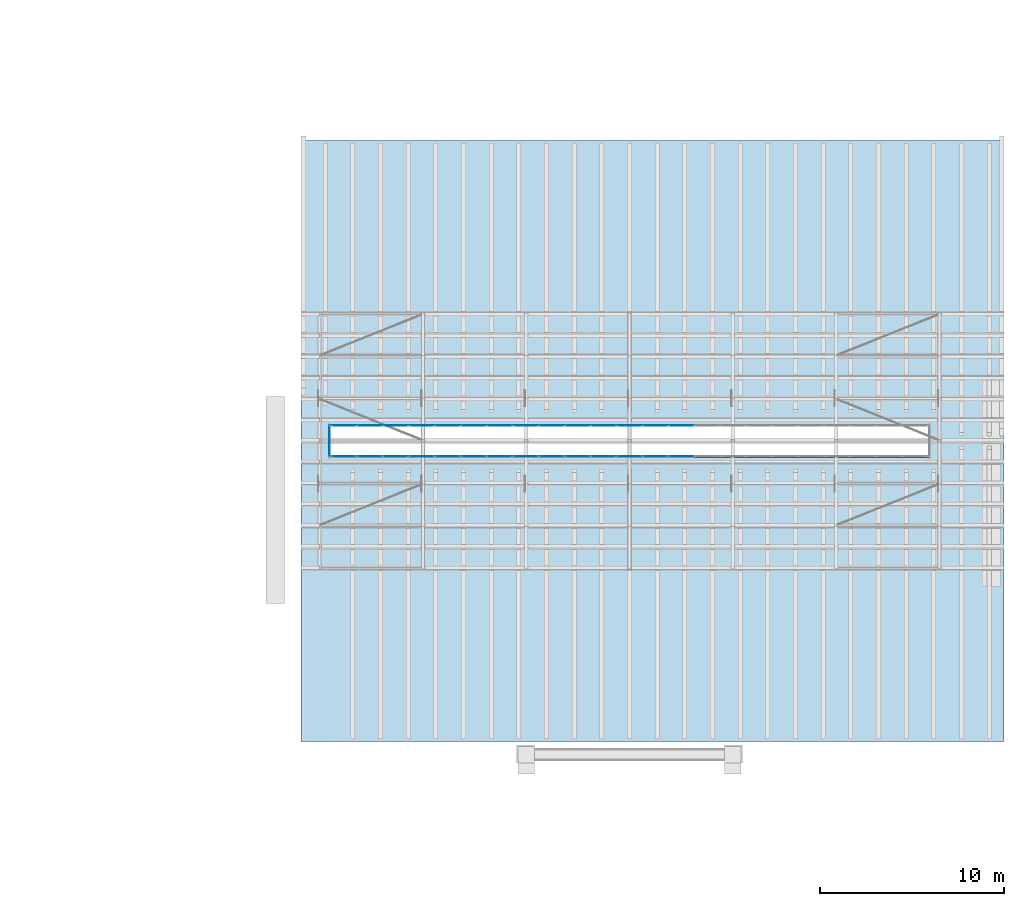
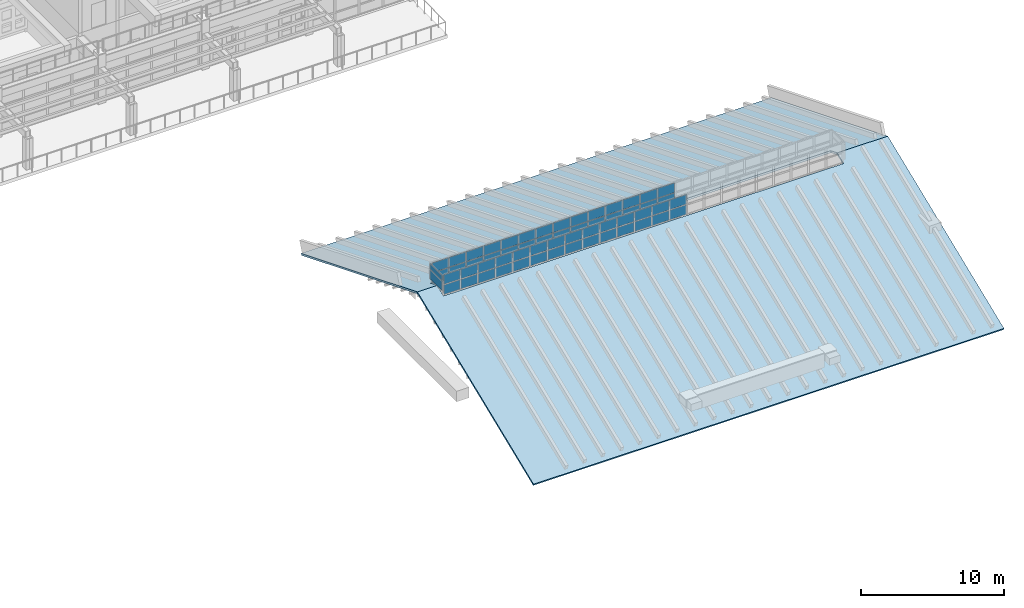
# One storey, part 49 of 105: 58 plates, 2 slabs, 3 elements without a shape of their own.
"""IFC4 building model written with IfcOpenShell, lengths in metres."""

from ifc_helpers import new_model, si_unit, direction, frame, origin, origin_2d, place, context, subcontext, project, spatial, polyline, rectangle, outline, extrude, material, layer, layer_set, type_object, element, aggregate, save


model = new_model("IFC4")

# Units and contexts
model_context = context("Model", 3, precision=1e-05, world=origin(), true_north=direction((0.0, 1.0)))
body_context = subcontext(model_context, "Body", "Model", "MODEL_VIEW")
ifc_project = project(units=[si_unit("LENGTHUNIT", "METRE"), si_unit("AREAUNIT", "SQUARE_METRE"), si_unit("VOLUMEUNIT", "CUBIC_METRE"), si_unit("PLANEANGLEUNIT", "RADIAN"), si_unit("MASSUNIT", "GRAM", prefix="KILO")], contexts=[model_context])

# Site, building, storey
site_placement = place(None, origin())
site = spatial("IfcSite", under=ifc_project, at=site_placement, CompositionType="ELEMENT")
building_placement = place(site_placement, origin())
building = spatial("IfcBuilding", under=site, at=building_placement, Name="Wasatch Bagh Community Centre", CompositionType="ELEMENT")
storey_placement = place(building_placement, frame((0.0, 0.0, 16.800048828125)))
storey = spatial("IfcBuildingStorey", under=building, at=storey_placement, Name="L04", CompositionType="ELEMENT", Elevation=16.800048828125)

# Slabs
ifc_material_1 = material(Name="ASTM A653 Grade 50 steel roof deck assembly", Category="steel")
ifc_layer_1 = layer(ifc_material_1, 0.14990234375)
ifc_layer_set_1 = layer_set([ifc_layer_1], Name="ASTM A653 Grade 50 steel roof deck assembly")
slab_type = type_object("IfcSlabType", Name="SH roof deck 150", PredefinedType="ROOF", material=ifc_layer_set_1)
slab_1_placement = place(storey_placement, frame((111.199951171875, 35.699951171875, -3.169189453125), z_axis=(0.0, -0.374600872568, 0.927186165919), x_axis=(1.0, 0.0, 0.0)))
element("IfcSlab", 1, at=slab_1_placement, inside=storey, type_object=slab_type, Name="SH.roof.S", PredefinedType="ROOF", context=body_context, shape_type="SweptSolid", body=[
    extrude(outline(polyline([(0.0, 0.0), (38.10009765625, 0.0), (38.10009765625, 17.580186256126385), (34.0, 17.580186256126385), (34.0, 16.609540868503533), (1.60009765625, 16.609540868503533), (1.60009765625, 17.580186256126385), (0.0, 17.580186256126385), (0.0, 0.0)])), origin(), (0.0, 0.0, -1.0), 0.14990234375),
])
slab_2_placement = place(storey_placement, frame((111.199951171875, 68.300048828125, -3.169189453125), z_axis=(0.0, 0.374600872568, 0.927186165919), x_axis=(1.0, 0.0, 0.0)))
element("IfcSlab", 2, at=slab_2_placement, inside=storey, type_object=slab_type, Name="SH.roof.N", PredefinedType="ROOF", context=body_context, shape_type="SweptSolid", body=[
    extrude(outline(polyline([(0.0, 0.0), (38.10009765625, 0.0), (38.10009765625, -17.580186256126385), (34.0, -17.580186256126385), (34.0, -16.609540868503533), (1.60009765625, -16.609540868503533), (1.60009765625, -17.580186256126385), (0.0, -17.580186256126385), (0.0, 0.0)])), origin(), (0.0, 0.0, -1.0), 0.14990234375),
])

# Curtain wall, plates
ifc_material_2 = material(Name="Aluminium alloy 6063-T6", Category="aluminium")
ifc_layer_2 = layer(ifc_material_2, 0.10009765625)
ifc_layer_set_2 = layer_set([ifc_layer_2], Name="Aluminium alloy 6063-T6")
curtain_wall_type = type_object("IfcCurtainWallType", Name="SH-CW3", PredefinedType="NOTDEFINED", material=ifc_layer_set_2)
curtain_wall_1_placement = place(storey_placement, origin())
curtain_wall_1 = element("IfcCurtainWall", 3, at=curtain_wall_1_placement, inside=storey, type_object=curtain_wall_type, Name="Curtain wall SH-CW3", PredefinedType="NOTDEFINED")
ifc_material_3 = material(Name="Laminated glass 8+8 mm", Category="glass")
ifc_layer_3 = layer(ifc_material_3, 0.028076171875)
ifc_layer_set_3 = layer_set([ifc_layer_3], Name="Laminated glass 8+8 mm")
plate_type = type_object("IfcPlateType", Name="SH-CW3 panel", PredefinedType="CURTAIN_PANEL", material=ifc_layer_set_3)
plate_1_placement = place(storey_placement, frame((113.519287109375, 51.169921875, 3.11279296875), z_axis=(0.0, 0.0, 1.0), x_axis=(1.0, 0.0, 0.0)))
plate_1 = element("IfcPlate", 4, at=plate_1_placement, type_object=plate_type, Name="SH-CW3 panel 1.1", PredefinedType="CURTAIN_PANEL", context=body_context, shape_type="SweptSolid", body=[
    extrude(rectangle(XDim=1.318603515625, YDim=0.028076171875, at=origin_2d()), origin(), (0.0, 0.0, 1.0), 0.81005859375),
])
plate_2_placement = place(storey_placement, frame((113.519287109375, 51.169921875, 3.98291015625), z_axis=(0.0, 0.0, 1.0), x_axis=(1.0, 0.0, 0.0)))
plate_2 = element("IfcPlate", 5, at=plate_2_placement, type_object=plate_type, Name="SH-CW3 panel 1.2", PredefinedType="CURTAIN_PANEL", context=body_context, shape_type="SweptSolid", body=[
    extrude(rectangle(XDim=1.318603515625, YDim=0.028076171875, at=origin_2d()), origin(), (0.0, 0.0, 1.0), 0.81005859375),
])
plate_3_placement = place(storey_placement, frame((114.9130859375, 51.169921875, 3.11279296875), z_axis=(0.0, 0.0, 1.0), x_axis=(1.0, 0.0, 0.0)))
plate_3 = element("IfcPlate", 6, at=plate_3_placement, type_object=plate_type, Name="SH-CW3 panel 2.1", PredefinedType="CURTAIN_PANEL", context=body_context, shape_type="SweptSolid", body=[
    extrude(rectangle(XDim=1.3486328125, YDim=0.028076171875, at=origin_2d()), origin(), (0.0, 0.0, 1.0), 0.81005859375),
])
plate_4_placement = place(storey_placement, frame((114.9130859375, 51.169921875, 3.98291015625), z_axis=(0.0, 0.0, 1.0), x_axis=(1.0, 0.0, 0.0)))
plate_4 = element("IfcPlate", 7, at=plate_4_placement, type_object=plate_type, Name="SH-CW3 panel 2.2", PredefinedType="CURTAIN_PANEL", context=body_context, shape_type="SweptSolid", body=[
    extrude(rectangle(XDim=1.3486328125, YDim=0.028076171875, at=origin_2d()), origin(), (0.0, 0.0, 1.0), 0.81005859375),
])
plate_5_placement = place(storey_placement, frame((116.32177734375, 51.169921875, 3.11279296875), z_axis=(0.0, 0.0, 1.0), x_axis=(1.0, 0.0, 0.0)))
plate_5 = element("IfcPlate", 8, at=plate_5_placement, type_object=plate_type, Name="SH-CW3 panel 3.1", PredefinedType="CURTAIN_PANEL", context=body_context, shape_type="SweptSolid", body=[
    extrude(rectangle(XDim=1.3486328125, YDim=0.028076171875, at=origin_2d()), origin(), (0.0, 0.0, 1.0), 0.81005859375),
])
plate_6_placement = place(storey_placement, frame((116.32177734375, 51.169921875, 3.98291015625), z_axis=(0.0, 0.0, 1.0), x_axis=(1.0, 0.0, 0.0)))
plate_6 = element("IfcPlate", 9, at=plate_6_placement, type_object=plate_type, Name="SH-CW3 panel 3.2", PredefinedType="CURTAIN_PANEL", context=body_context, shape_type="SweptSolid", body=[
    extrude(rectangle(XDim=1.3486328125, YDim=0.028076171875, at=origin_2d()), origin(), (0.0, 0.0, 1.0), 0.81005859375),
])
plate_7_placement = place(storey_placement, frame((117.73046875, 51.169921875, 3.11279296875), z_axis=(0.0, 0.0, 1.0), x_axis=(1.0, 0.0, 0.0)))
plate_7 = element("IfcPlate", 10, at=plate_7_placement, type_object=plate_type, Name="SH-CW3 panel 4.1", PredefinedType="CURTAIN_PANEL", context=body_context, shape_type="SweptSolid", body=[
    extrude(rectangle(XDim=1.3486328125, YDim=0.028076171875, at=origin_2d()), origin(), (0.0, 0.0, 1.0), 0.81005859375),
])
plate_8_placement = place(storey_placement, frame((117.73046875, 51.169921875, 3.98291015625), z_axis=(0.0, 0.0, 1.0), x_axis=(1.0, 0.0, 0.0)))
plate_8 = element("IfcPlate", 11, at=plate_8_placement, type_object=plate_type, Name="SH-CW3 panel 4.2", PredefinedType="CURTAIN_PANEL", context=body_context, shape_type="SweptSolid", body=[
    extrude(rectangle(XDim=1.3486328125, YDim=0.028076171875, at=origin_2d()), origin(), (0.0, 0.0, 1.0), 0.81005859375),
])
plate_9_placement = place(storey_placement, frame((119.13916015625, 51.169921875, 3.11279296875), z_axis=(0.0, 0.0, 1.0), x_axis=(1.0, 0.0, 0.0)))
plate_9 = element("IfcPlate", 12, at=plate_9_placement, type_object=plate_type, Name="SH-CW3 panel 5.1", PredefinedType="CURTAIN_PANEL", context=body_context, shape_type="SweptSolid", body=[
    extrude(rectangle(XDim=1.3486328125, YDim=0.028076171875, at=origin_2d()), origin(), (0.0, 0.0, 1.0), 0.81005859375),
])
plate_10_placement = place(storey_placement, frame((119.13916015625, 51.169921875, 3.98291015625), z_axis=(0.0, 0.0, 1.0), x_axis=(1.0, 0.0, 0.0)))
plate_10 = element("IfcPlate", 13, at=plate_10_placement, type_object=plate_type, Name="SH-CW3 panel 5.2", PredefinedType="CURTAIN_PANEL", context=body_context, shape_type="SweptSolid", body=[
    extrude(rectangle(XDim=1.3486328125, YDim=0.028076171875, at=origin_2d()), origin(), (0.0, 0.0, 1.0), 0.81005859375),
])
plate_11_placement = place(storey_placement, frame((120.5478515625, 51.169921875, 3.11279296875), z_axis=(0.0, 0.0, 1.0), x_axis=(1.0, 0.0, 0.0)))
plate_11 = element("IfcPlate", 14, at=plate_11_placement, type_object=plate_type, Name="SH-CW3 panel 6.1", PredefinedType="CURTAIN_PANEL", context=body_context, shape_type="SweptSolid", body=[
    extrude(rectangle(XDim=1.3486328125, YDim=0.028076171875, at=origin_2d()), origin(), (0.0, 0.0, 1.0), 0.81005859375),
])
plate_12_placement = place(storey_placement, frame((120.5478515625, 51.169921875, 3.98291015625), z_axis=(0.0, 0.0, 1.0), x_axis=(1.0, 0.0, 0.0)))
plate_12 = element("IfcPlate", 15, at=plate_12_placement, type_object=plate_type, Name="SH-CW3 panel 6.2", PredefinedType="CURTAIN_PANEL", context=body_context, shape_type="SweptSolid", body=[
    extrude(rectangle(XDim=1.3486328125, YDim=0.028076171875, at=origin_2d()), origin(), (0.0, 0.0, 1.0), 0.81005859375),
])
plate_13_placement = place(storey_placement, frame((121.95654296875, 51.169921875, 3.11279296875), z_axis=(0.0, 0.0, 1.0), x_axis=(1.0, 0.0, 0.0)))
plate_13 = element("IfcPlate", 16, at=plate_13_placement, type_object=plate_type, Name="SH-CW3 panel 7.1", PredefinedType="CURTAIN_PANEL", context=body_context, shape_type="SweptSolid", body=[
    extrude(rectangle(XDim=1.3486328125, YDim=0.028076171875, at=origin_2d()), origin(), (0.0, 0.0, 1.0), 0.81005859375),
])
plate_14_placement = place(storey_placement, frame((121.95654296875, 51.169921875, 3.98291015625), z_axis=(0.0, 0.0, 1.0), x_axis=(1.0, 0.0, 0.0)))
plate_14 = element("IfcPlate", 17, at=plate_14_placement, type_object=plate_type, Name="SH-CW3 panel 7.2", PredefinedType="CURTAIN_PANEL", context=body_context, shape_type="SweptSolid", body=[
    extrude(rectangle(XDim=1.3486328125, YDim=0.028076171875, at=origin_2d()), origin(), (0.0, 0.0, 1.0), 0.81005859375),
])
plate_15_placement = place(storey_placement, frame((123.365234375, 51.169921875, 3.11279296875), z_axis=(0.0, 0.0, 1.0), x_axis=(1.0, 0.0, 0.0)))
plate_15 = element("IfcPlate", 18, at=plate_15_placement, type_object=plate_type, Name="SH-CW3 panel 8.1", PredefinedType="CURTAIN_PANEL", context=body_context, shape_type="SweptSolid", body=[
    extrude(rectangle(XDim=1.3486328125, YDim=0.028076171875, at=origin_2d()), origin(), (0.0, 0.0, 1.0), 0.81005859375),
])
plate_16_placement = place(storey_placement, frame((123.365234375, 51.169921875, 3.98291015625), z_axis=(0.0, 0.0, 1.0), x_axis=(1.0, 0.0, 0.0)))
plate_16 = element("IfcPlate", 19, at=plate_16_placement, type_object=plate_type, Name="SH-CW3 panel 8.2", PredefinedType="CURTAIN_PANEL", context=body_context, shape_type="SweptSolid", body=[
    extrude(rectangle(XDim=1.3486328125, YDim=0.028076171875, at=origin_2d()), origin(), (0.0, 0.0, 1.0), 0.81005859375),
])
plate_17_placement = place(storey_placement, frame((124.77392578125, 51.169921875, 3.11279296875), z_axis=(0.0, 0.0, 1.0), x_axis=(1.0, 0.0, 0.0)))
plate_17 = element("IfcPlate", 20, at=plate_17_placement, type_object=plate_type, Name="SH-CW3 panel 9.1", PredefinedType="CURTAIN_PANEL", context=body_context, shape_type="SweptSolid", body=[
    extrude(rectangle(XDim=1.3486328125, YDim=0.028076171875, at=origin_2d()), origin(), (0.0, 0.0, 1.0), 0.81005859375),
])
plate_18_placement = place(storey_placement, frame((124.77392578125, 51.169921875, 3.98291015625), z_axis=(0.0, 0.0, 1.0), x_axis=(1.0, 0.0, 0.0)))
plate_18 = element("IfcPlate", 21, at=plate_18_placement, type_object=plate_type, Name="SH-CW3 panel 9.2", PredefinedType="CURTAIN_PANEL", context=body_context, shape_type="SweptSolid", body=[
    extrude(rectangle(XDim=1.3486328125, YDim=0.028076171875, at=origin_2d()), origin(), (0.0, 0.0, 1.0), 0.81005859375),
])
plate_19_placement = place(storey_placement, frame((126.1826171875, 51.169921875, 3.11279296875), z_axis=(0.0, 0.0, 1.0), x_axis=(1.0, 0.0, 0.0)))
plate_19 = element("IfcPlate", 22, at=plate_19_placement, type_object=plate_type, Name="SH-CW3 panel 10.1", PredefinedType="CURTAIN_PANEL", context=body_context, shape_type="SweptSolid", body=[
    extrude(rectangle(XDim=1.3486328125, YDim=0.028076171875, at=origin_2d()), origin(), (0.0, 0.0, 1.0), 0.81005859375),
])
plate_20_placement = place(storey_placement, frame((126.1826171875, 51.169921875, 3.98291015625), z_axis=(0.0, 0.0, 1.0), x_axis=(1.0, 0.0, 0.0)))
plate_20 = element("IfcPlate", 23, at=plate_20_placement, type_object=plate_type, Name="SH-CW3 panel 10.2", PredefinedType="CURTAIN_PANEL", context=body_context, shape_type="SweptSolid", body=[
    extrude(rectangle(XDim=1.3486328125, YDim=0.028076171875, at=origin_2d()), origin(), (0.0, 0.0, 1.0), 0.81005859375),
])
plate_21_placement = place(storey_placement, frame((127.59130859375, 51.169921875, 3.11279296875), z_axis=(0.0, 0.0, 1.0), x_axis=(1.0, 0.0, 0.0)))
plate_21 = element("IfcPlate", 24, at=plate_21_placement, type_object=plate_type, Name="SH-CW3 panel 11.1", PredefinedType="CURTAIN_PANEL", context=body_context, shape_type="SweptSolid", body=[
    extrude(rectangle(XDim=1.3486328125, YDim=0.028076171875, at=origin_2d()), origin(), (0.0, 0.0, 1.0), 0.81005859375),
])
plate_22_placement = place(storey_placement, frame((127.59130859375, 51.169921875, 3.98291015625), z_axis=(0.0, 0.0, 1.0), x_axis=(1.0, 0.0, 0.0)))
plate_22 = element("IfcPlate", 25, at=plate_22_placement, type_object=plate_type, Name="SH-CW3 panel 11.2", PredefinedType="CURTAIN_PANEL", context=body_context, shape_type="SweptSolid", body=[
    extrude(rectangle(XDim=1.3486328125, YDim=0.028076171875, at=origin_2d()), origin(), (0.0, 0.0, 1.0), 0.81005859375),
])
plate_23_placement = place(storey_placement, frame((129.0, 51.169921875, 3.11279296875), z_axis=(0.0, 0.0, 1.0), x_axis=(1.0, 0.0, 0.0)))
plate_23 = element("IfcPlate", 26, at=plate_23_placement, type_object=plate_type, Name="SH-CW3 panel 12.1", PredefinedType="CURTAIN_PANEL", context=body_context, shape_type="SweptSolid", body=[
    extrude(rectangle(XDim=1.3486328125, YDim=0.028076171875, at=origin_2d()), origin(), (0.0, 0.0, 1.0), 0.81005859375),
])
plate_24_placement = place(storey_placement, frame((129.0, 51.169921875, 3.98291015625), z_axis=(0.0, 0.0, 1.0), x_axis=(1.0, 0.0, 0.0)))
plate_24 = element("IfcPlate", 27, at=plate_24_placement, type_object=plate_type, Name="SH-CW3 panel 12.2", PredefinedType="CURTAIN_PANEL", context=body_context, shape_type="SweptSolid", body=[
    extrude(rectangle(XDim=1.3486328125, YDim=0.028076171875, at=origin_2d()), origin(), (0.0, 0.0, 1.0), 0.81005859375),
])
plate_25_placement = place(storey_placement, frame((130.40869140625, 51.169921875, 3.11279296875), z_axis=(0.0, 0.0, 1.0), x_axis=(1.0, 0.0, 0.0)))
plate_25 = element("IfcPlate", 28, at=plate_25_placement, type_object=plate_type, Name="SH-CW3 panel 13.1", PredefinedType="CURTAIN_PANEL", context=body_context, shape_type="SweptSolid", body=[
    extrude(rectangle(XDim=1.3486328125, YDim=0.028076171875, at=origin_2d()), origin(), (0.0, 0.0, 1.0), 0.81005859375),
])
plate_26_placement = place(storey_placement, frame((130.40869140625, 51.169921875, 3.98291015625), z_axis=(0.0, 0.0, 1.0), x_axis=(1.0, 0.0, 0.0)))
plate_26 = element("IfcPlate", 29, at=plate_26_placement, type_object=plate_type, Name="SH-CW3 panel 13.2", PredefinedType="CURTAIN_PANEL", context=body_context, shape_type="SweptSolid", body=[
    extrude(rectangle(XDim=1.3486328125, YDim=0.028076171875, at=origin_2d()), origin(), (0.0, 0.0, 1.0), 0.81005859375),
])
plate_27_placement = place(storey_placement, frame((131.8173828125, 51.169921875, 3.11279296875), z_axis=(0.0, 0.0, 1.0), x_axis=(1.0, 0.0, 0.0)))
plate_27 = element("IfcPlate", 30, at=plate_27_placement, type_object=plate_type, Name="SH-CW3 panel 14.1", PredefinedType="CURTAIN_PANEL", context=body_context, shape_type="SweptSolid", body=[
    extrude(rectangle(XDim=1.3486328125, YDim=0.028076171875, at=origin_2d()), origin(), (0.0, 0.0, 1.0), 0.81005859375),
])
plate_28_placement = place(storey_placement, frame((131.8173828125, 51.169921875, 3.98291015625), z_axis=(0.0, 0.0, 1.0), x_axis=(1.0, 0.0, 0.0)))
plate_28 = element("IfcPlate", 31, at=plate_28_placement, type_object=plate_type, Name="SH-CW3 panel 14.2", PredefinedType="CURTAIN_PANEL", context=body_context, shape_type="SweptSolid", body=[
    extrude(rectangle(XDim=1.3486328125, YDim=0.028076171875, at=origin_2d()), origin(), (0.0, 0.0, 1.0), 0.81005859375),
])
aggregate(curtain_wall_1, [plate_1, plate_2, plate_3, plate_4, plate_5, plate_6, plate_7, plate_8, plate_9, plate_10, plate_11, plate_12, plate_13, plate_14, plate_15, plate_16, plate_17, plate_18, plate_19, plate_20, plate_21, plate_22, plate_23, plate_24, plate_25, plate_26, plate_27, plate_28])

curtain_wall_2_placement = place(storey_placement, origin())
curtain_wall_2 = element("IfcCurtainWall", 32, at=curtain_wall_2_placement, inside=storey, type_object=curtain_wall_type, Name="Curtain wall SH-CW3", PredefinedType="NOTDEFINED")
plate_29_placement = place(storey_placement, frame((113.519287109375, 52.830078125, 3.11279296875), z_axis=(0.0, 0.0, 1.0), x_axis=(1.0, 0.0, 0.0)))
plate_29 = element("IfcPlate", 33, at=plate_29_placement, type_object=plate_type, Name="SH-CW3 panel 1.1", PredefinedType="CURTAIN_PANEL", context=body_context, shape_type="SweptSolid", body=[
    extrude(rectangle(XDim=1.318603515625, YDim=0.028076171875, at=origin_2d()), origin(), (0.0, 0.0, 1.0), 0.81005859375),
])
plate_30_placement = place(storey_placement, frame((113.519287109375, 52.830078125, 3.98291015625), z_axis=(0.0, 0.0, 1.0), x_axis=(1.0, 0.0, 0.0)))
plate_30 = element("IfcPlate", 34, at=plate_30_placement, type_object=plate_type, Name="SH-CW3 panel 1.2", PredefinedType="CURTAIN_PANEL", context=body_context, shape_type="SweptSolid", body=[
    extrude(rectangle(XDim=1.318603515625, YDim=0.028076171875, at=origin_2d()), origin(), (0.0, 0.0, 1.0), 0.81005859375),
])
plate_31_placement = place(storey_placement, frame((114.9130859375, 52.830078125, 3.11279296875), z_axis=(0.0, 0.0, 1.0), x_axis=(1.0, 0.0, 0.0)))
plate_31 = element("IfcPlate", 35, at=plate_31_placement, type_object=plate_type, Name="SH-CW3 panel 2.1", PredefinedType="CURTAIN_PANEL", context=body_context, shape_type="SweptSolid", body=[
    extrude(rectangle(XDim=1.3486328125, YDim=0.028076171875, at=origin_2d()), origin(), (0.0, 0.0, 1.0), 0.81005859375),
])
plate_32_placement = place(storey_placement, frame((114.9130859375, 52.830078125, 3.98291015625), z_axis=(0.0, 0.0, 1.0), x_axis=(1.0, 0.0, 0.0)))
plate_32 = element("IfcPlate", 36, at=plate_32_placement, type_object=plate_type, Name="SH-CW3 panel 2.2", PredefinedType="CURTAIN_PANEL", context=body_context, shape_type="SweptSolid", body=[
    extrude(rectangle(XDim=1.3486328125, YDim=0.028076171875, at=origin_2d()), origin(), (0.0, 0.0, 1.0), 0.81005859375),
])
plate_33_placement = place(storey_placement, frame((116.32177734375, 52.830078125, 3.11279296875), z_axis=(0.0, 0.0, 1.0), x_axis=(1.0, 0.0, 0.0)))
plate_33 = element("IfcPlate", 37, at=plate_33_placement, type_object=plate_type, Name="SH-CW3 panel 3.1", PredefinedType="CURTAIN_PANEL", context=body_context, shape_type="SweptSolid", body=[
    extrude(rectangle(XDim=1.3486328125, YDim=0.028076171875, at=origin_2d()), origin(), (0.0, 0.0, 1.0), 0.81005859375),
])
plate_34_placement = place(storey_placement, frame((116.32177734375, 52.830078125, 3.98291015625), z_axis=(0.0, 0.0, 1.0), x_axis=(1.0, 0.0, 0.0)))
plate_34 = element("IfcPlate", 38, at=plate_34_placement, type_object=plate_type, Name="SH-CW3 panel 3.2", PredefinedType="CURTAIN_PANEL", context=body_context, shape_type="SweptSolid", body=[
    extrude(rectangle(XDim=1.3486328125, YDim=0.028076171875, at=origin_2d()), origin(), (0.0, 0.0, 1.0), 0.81005859375),
])
plate_35_placement = place(storey_placement, frame((117.73046875, 52.830078125, 3.11279296875), z_axis=(0.0, 0.0, 1.0), x_axis=(1.0, 0.0, 0.0)))
plate_35 = element("IfcPlate", 39, at=plate_35_placement, type_object=plate_type, Name="SH-CW3 panel 4.1", PredefinedType="CURTAIN_PANEL", context=body_context, shape_type="SweptSolid", body=[
    extrude(rectangle(XDim=1.3486328125, YDim=0.028076171875, at=origin_2d()), origin(), (0.0, 0.0, 1.0), 0.81005859375),
])
plate_36_placement = place(storey_placement, frame((117.73046875, 52.830078125, 3.98291015625), z_axis=(0.0, 0.0, 1.0), x_axis=(1.0, 0.0, 0.0)))
plate_36 = element("IfcPlate", 40, at=plate_36_placement, type_object=plate_type, Name="SH-CW3 panel 4.2", PredefinedType="CURTAIN_PANEL", context=body_context, shape_type="SweptSolid", body=[
    extrude(rectangle(XDim=1.3486328125, YDim=0.028076171875, at=origin_2d()), origin(), (0.0, 0.0, 1.0), 0.81005859375),
])
plate_37_placement = place(storey_placement, frame((119.13916015625, 52.830078125, 3.11279296875), z_axis=(0.0, 0.0, 1.0), x_axis=(1.0, 0.0, 0.0)))
plate_37 = element("IfcPlate", 41, at=plate_37_placement, type_object=plate_type, Name="SH-CW3 panel 5.1", PredefinedType="CURTAIN_PANEL", context=body_context, shape_type="SweptSolid", body=[
    extrude(rectangle(XDim=1.3486328125, YDim=0.028076171875, at=origin_2d()), origin(), (0.0, 0.0, 1.0), 0.81005859375),
])
plate_38_placement = place(storey_placement, frame((119.13916015625, 52.830078125, 3.98291015625), z_axis=(0.0, 0.0, 1.0), x_axis=(1.0, 0.0, 0.0)))
plate_38 = element("IfcPlate", 42, at=plate_38_placement, type_object=plate_type, Name="SH-CW3 panel 5.2", PredefinedType="CURTAIN_PANEL", context=body_context, shape_type="SweptSolid", body=[
    extrude(rectangle(XDim=1.3486328125, YDim=0.028076171875, at=origin_2d()), origin(), (0.0, 0.0, 1.0), 0.81005859375),
])
plate_39_placement = place(storey_placement, frame((120.5478515625, 52.830078125, 3.11279296875), z_axis=(0.0, 0.0, 1.0), x_axis=(1.0, 0.0, 0.0)))
plate_39 = element("IfcPlate", 43, at=plate_39_placement, type_object=plate_type, Name="SH-CW3 panel 6.1", PredefinedType="CURTAIN_PANEL", context=body_context, shape_type="SweptSolid", body=[
    extrude(rectangle(XDim=1.3486328125, YDim=0.028076171875, at=origin_2d()), origin(), (0.0, 0.0, 1.0), 0.81005859375),
])
plate_40_placement = place(storey_placement, frame((120.5478515625, 52.830078125, 3.98291015625), z_axis=(0.0, 0.0, 1.0), x_axis=(1.0, 0.0, 0.0)))
plate_40 = element("IfcPlate", 44, at=plate_40_placement, type_object=plate_type, Name="SH-CW3 panel 6.2", PredefinedType="CURTAIN_PANEL", context=body_context, shape_type="SweptSolid", body=[
    extrude(rectangle(XDim=1.3486328125, YDim=0.028076171875, at=origin_2d()), origin(), (0.0, 0.0, 1.0), 0.81005859375),
])
plate_41_placement = place(storey_placement, frame((121.95654296875, 52.830078125, 3.11279296875), z_axis=(0.0, 0.0, 1.0), x_axis=(1.0, 0.0, 0.0)))
plate_41 = element("IfcPlate", 45, at=plate_41_placement, type_object=plate_type, Name="SH-CW3 panel 7.1", PredefinedType="CURTAIN_PANEL", context=body_context, shape_type="SweptSolid", body=[
    extrude(rectangle(XDim=1.3486328125, YDim=0.028076171875, at=origin_2d()), origin(), (0.0, 0.0, 1.0), 0.81005859375),
])
plate_42_placement = place(storey_placement, frame((121.95654296875, 52.830078125, 3.98291015625), z_axis=(0.0, 0.0, 1.0), x_axis=(1.0, 0.0, 0.0)))
plate_42 = element("IfcPlate", 46, at=plate_42_placement, type_object=plate_type, Name="SH-CW3 panel 7.2", PredefinedType="CURTAIN_PANEL", context=body_context, shape_type="SweptSolid", body=[
    extrude(rectangle(XDim=1.3486328125, YDim=0.028076171875, at=origin_2d()), origin(), (0.0, 0.0, 1.0), 0.81005859375),
])
plate_43_placement = place(storey_placement, frame((123.365234375, 52.830078125, 3.11279296875), z_axis=(0.0, 0.0, 1.0), x_axis=(1.0, 0.0, 0.0)))
plate_43 = element("IfcPlate", 47, at=plate_43_placement, type_object=plate_type, Name="SH-CW3 panel 8.1", PredefinedType="CURTAIN_PANEL", context=body_context, shape_type="SweptSolid", body=[
    extrude(rectangle(XDim=1.3486328125, YDim=0.028076171875, at=origin_2d()), origin(), (0.0, 0.0, 1.0), 0.81005859375),
])
plate_44_placement = place(storey_placement, frame((123.365234375, 52.830078125, 3.98291015625), z_axis=(0.0, 0.0, 1.0), x_axis=(1.0, 0.0, 0.0)))
plate_44 = element("IfcPlate", 48, at=plate_44_placement, type_object=plate_type, Name="SH-CW3 panel 8.2", PredefinedType="CURTAIN_PANEL", context=body_context, shape_type="SweptSolid", body=[
    extrude(rectangle(XDim=1.3486328125, YDim=0.028076171875, at=origin_2d()), origin(), (0.0, 0.0, 1.0), 0.81005859375),
])
plate_45_placement = place(storey_placement, frame((124.77392578125, 52.830078125, 3.11279296875), z_axis=(0.0, 0.0, 1.0), x_axis=(1.0, 0.0, 0.0)))
plate_45 = element("IfcPlate", 49, at=plate_45_placement, type_object=plate_type, Name="SH-CW3 panel 9.1", PredefinedType="CURTAIN_PANEL", context=body_context, shape_type="SweptSolid", body=[
    extrude(rectangle(XDim=1.3486328125, YDim=0.028076171875, at=origin_2d()), origin(), (0.0, 0.0, 1.0), 0.81005859375),
])
plate_46_placement = place(storey_placement, frame((124.77392578125, 52.830078125, 3.98291015625), z_axis=(0.0, 0.0, 1.0), x_axis=(1.0, 0.0, 0.0)))
plate_46 = element("IfcPlate", 50, at=plate_46_placement, type_object=plate_type, Name="SH-CW3 panel 9.2", PredefinedType="CURTAIN_PANEL", context=body_context, shape_type="SweptSolid", body=[
    extrude(rectangle(XDim=1.3486328125, YDim=0.028076171875, at=origin_2d()), origin(), (0.0, 0.0, 1.0), 0.81005859375),
])
plate_47_placement = place(storey_placement, frame((126.1826171875, 52.830078125, 3.11279296875), z_axis=(0.0, 0.0, 1.0), x_axis=(1.0, 0.0, 0.0)))
plate_47 = element("IfcPlate", 51, at=plate_47_placement, type_object=plate_type, Name="SH-CW3 panel 10.1", PredefinedType="CURTAIN_PANEL", context=body_context, shape_type="SweptSolid", body=[
    extrude(rectangle(XDim=1.3486328125, YDim=0.028076171875, at=origin_2d()), origin(), (0.0, 0.0, 1.0), 0.81005859375),
])
plate_48_placement = place(storey_placement, frame((126.1826171875, 52.830078125, 3.98291015625), z_axis=(0.0, 0.0, 1.0), x_axis=(1.0, 0.0, 0.0)))
plate_48 = element("IfcPlate", 52, at=plate_48_placement, type_object=plate_type, Name="SH-CW3 panel 10.2", PredefinedType="CURTAIN_PANEL", context=body_context, shape_type="SweptSolid", body=[
    extrude(rectangle(XDim=1.3486328125, YDim=0.028076171875, at=origin_2d()), origin(), (0.0, 0.0, 1.0), 0.81005859375),
])
plate_49_placement = place(storey_placement, frame((127.59130859375, 52.830078125, 3.11279296875), z_axis=(0.0, 0.0, 1.0), x_axis=(1.0, 0.0, 0.0)))
plate_49 = element("IfcPlate", 53, at=plate_49_placement, type_object=plate_type, Name="SH-CW3 panel 11.1", PredefinedType="CURTAIN_PANEL", context=body_context, shape_type="SweptSolid", body=[
    extrude(rectangle(XDim=1.3486328125, YDim=0.028076171875, at=origin_2d()), origin(), (0.0, 0.0, 1.0), 0.81005859375),
])
plate_50_placement = place(storey_placement, frame((127.59130859375, 52.830078125, 3.98291015625), z_axis=(0.0, 0.0, 1.0), x_axis=(1.0, 0.0, 0.0)))
plate_50 = element("IfcPlate", 54, at=plate_50_placement, type_object=plate_type, Name="SH-CW3 panel 11.2", PredefinedType="CURTAIN_PANEL", context=body_context, shape_type="SweptSolid", body=[
    extrude(rectangle(XDim=1.3486328125, YDim=0.028076171875, at=origin_2d()), origin(), (0.0, 0.0, 1.0), 0.81005859375),
])
plate_51_placement = place(storey_placement, frame((129.0, 52.830078125, 3.11279296875), z_axis=(0.0, 0.0, 1.0), x_axis=(1.0, 0.0, 0.0)))
plate_51 = element("IfcPlate", 55, at=plate_51_placement, type_object=plate_type, Name="SH-CW3 panel 12.1", PredefinedType="CURTAIN_PANEL", context=body_context, shape_type="SweptSolid", body=[
    extrude(rectangle(XDim=1.3486328125, YDim=0.028076171875, at=origin_2d()), origin(), (0.0, 0.0, 1.0), 0.81005859375),
])
plate_52_placement = place(storey_placement, frame((129.0, 52.830078125, 3.98291015625), z_axis=(0.0, 0.0, 1.0), x_axis=(1.0, 0.0, 0.0)))
plate_52 = element("IfcPlate", 56, at=plate_52_placement, type_object=plate_type, Name="SH-CW3 panel 12.2", PredefinedType="CURTAIN_PANEL", context=body_context, shape_type="SweptSolid", body=[
    extrude(rectangle(XDim=1.3486328125, YDim=0.028076171875, at=origin_2d()), origin(), (0.0, 0.0, 1.0), 0.81005859375),
])
plate_53_placement = place(storey_placement, frame((130.40869140625, 52.830078125, 3.11279296875), z_axis=(0.0, 0.0, 1.0), x_axis=(1.0, 0.0, 0.0)))
plate_53 = element("IfcPlate", 57, at=plate_53_placement, type_object=plate_type, Name="SH-CW3 panel 13.1", PredefinedType="CURTAIN_PANEL", context=body_context, shape_type="SweptSolid", body=[
    extrude(rectangle(XDim=1.3486328125, YDim=0.028076171875, at=origin_2d()), origin(), (0.0, 0.0, 1.0), 0.81005859375),
])
plate_54_placement = place(storey_placement, frame((130.40869140625, 52.830078125, 3.98291015625), z_axis=(0.0, 0.0, 1.0), x_axis=(1.0, 0.0, 0.0)))
plate_54 = element("IfcPlate", 58, at=plate_54_placement, type_object=plate_type, Name="SH-CW3 panel 13.2", PredefinedType="CURTAIN_PANEL", context=body_context, shape_type="SweptSolid", body=[
    extrude(rectangle(XDim=1.3486328125, YDim=0.028076171875, at=origin_2d()), origin(), (0.0, 0.0, 1.0), 0.81005859375),
])
plate_55_placement = place(storey_placement, frame((131.8173828125, 52.830078125, 3.11279296875), z_axis=(0.0, 0.0, 1.0), x_axis=(1.0, 0.0, 0.0)))
plate_55 = element("IfcPlate", 59, at=plate_55_placement, type_object=plate_type, Name="SH-CW3 panel 14.1", PredefinedType="CURTAIN_PANEL", context=body_context, shape_type="SweptSolid", body=[
    extrude(rectangle(XDim=1.3486328125, YDim=0.028076171875, at=origin_2d()), origin(), (0.0, 0.0, 1.0), 0.81005859375),
])
plate_56_placement = place(storey_placement, frame((131.8173828125, 52.830078125, 3.98291015625), z_axis=(0.0, 0.0, 1.0), x_axis=(1.0, 0.0, 0.0)))
plate_56 = element("IfcPlate", 60, at=plate_56_placement, type_object=plate_type, Name="SH-CW3 panel 14.2", PredefinedType="CURTAIN_PANEL", context=body_context, shape_type="SweptSolid", body=[
    extrude(rectangle(XDim=1.3486328125, YDim=0.028076171875, at=origin_2d()), origin(), (0.0, 0.0, 1.0), 0.81005859375),
])
aggregate(curtain_wall_2, [plate_29, plate_30, plate_31, plate_32, plate_33, plate_34, plate_35, plate_36, plate_37, plate_38, plate_39, plate_40, plate_41, plate_42, plate_43, plate_44, plate_45, plate_46, plate_47, plate_48, plate_49, plate_50, plate_51, plate_52, plate_53, plate_54, plate_55, plate_56])

curtain_wall_3_placement = place(storey_placement, origin())
curtain_wall_3 = element("IfcCurtainWall", 61, at=curtain_wall_3_placement, inside=storey, type_object=curtain_wall_type, Name="Curtain wall SH-CW3", PredefinedType="NOTDEFINED")
plate_57_placement = place(storey_placement, frame((112.72998046875, 52.0, 3.476318359375), z_axis=(0.0, 0.0, 1.0), x_axis=(0.0, 1.0, 0.0)))
plate_57 = element("IfcPlate", 62, at=plate_57_placement, type_object=plate_type, Name="SH-CW3 panel 1.1", PredefinedType="CURTAIN_PANEL", context=body_context, shape_type="SweptSolid", body=[
    extrude(rectangle(XDim=1.679931640625, YDim=0.028076171875, at=origin_2d()), origin(), (0.0, 0.0, 1.0), 0.81005859375),
])
plate_58_placement = place(storey_placement, frame((112.72998046875, 52.0, 4.346435546875), z_axis=(0.0, 0.0, 1.0), x_axis=(0.0, 1.0, 0.0)))
plate_58 = element("IfcPlate", 63, at=plate_58_placement, type_object=plate_type, Name="SH-CW3 panel 1.2", PredefinedType="CURTAIN_PANEL", context=body_context, shape_type="SweptSolid", body=[
    extrude(rectangle(XDim=1.679931640625, YDim=0.028076171875, at=origin_2d()), origin(), (0.0, 0.0, 1.0), 0.4462890625),
])
aggregate(curtain_wall_3, [plate_57, plate_58])

save(model, "model.ifc")
